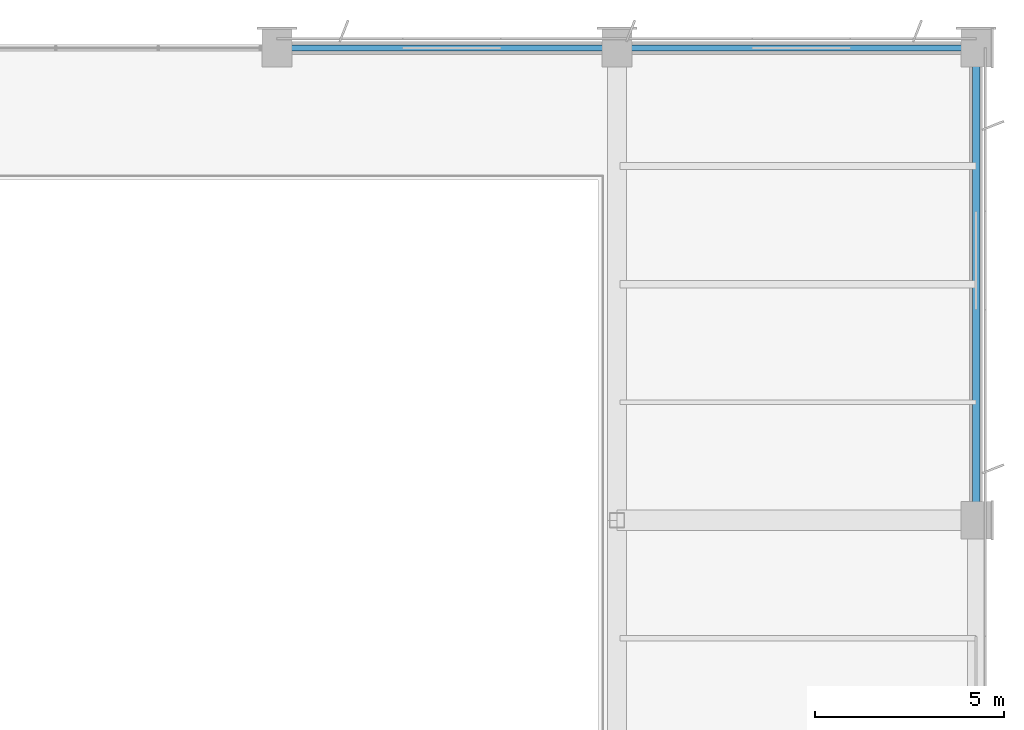
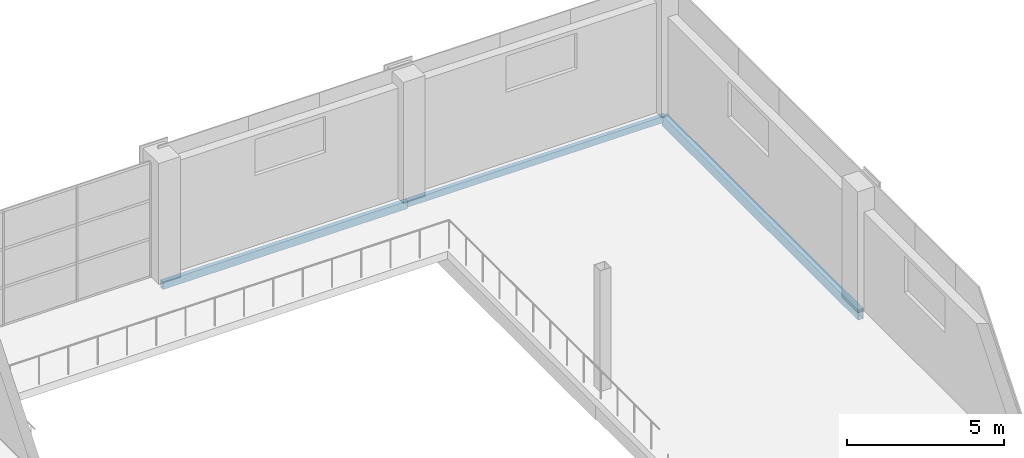
# One storey, part 83 of 112: 3 beams.
"""IFC4 building model written with IfcOpenShell, lengths in metres."""

from ifc_helpers import new_model, si_unit, direction, frame, origin, origin_2d, place, context, subcontext, project, spatial, hollow_rectangle, extrude, material, material_profile, profile_set, type_object, element, save


model = new_model("IFC4")

# Units and contexts
model_context = context("Model", 3, precision=1e-05, world=origin(), true_north=direction((0.0, 1.0)))
body_context = subcontext(model_context, "Body", "Model", "MODEL_VIEW")
ifc_project = project(units=[si_unit("LENGTHUNIT", "METRE"), si_unit("AREAUNIT", "SQUARE_METRE"), si_unit("VOLUMEUNIT", "CUBIC_METRE"), si_unit("PLANEANGLEUNIT", "RADIAN"), si_unit("MASSUNIT", "GRAM", prefix="KILO")], contexts=[model_context])

# Site, building, storey
site_placement = place(None, origin())
site = spatial("IfcSite", under=ifc_project, at=site_placement, CompositionType="ELEMENT")
building_placement = place(site_placement, origin())
building = spatial("IfcBuilding", under=site, at=building_placement, Name="Solvikara Media Centre", CompositionType="ELEMENT")
storey_placement = place(building_placement, frame((0.0, 0.0, 5.39990234375)))
storey = spatial("IfcBuildingStorey", under=building, at=storey_placement, Name="L01", CompositionType="ELEMENT", Elevation=5.39990234375)

# Beams
ifc_material = material(Name="Steel S355JR", Category="steel")
ifc_material_profile_1 = material_profile(ifc_material, hollow_rectangle(XDim=0.199951171875, YDim=0.39990234375, WallThickness=0.011962890625, at=origin_2d()), Name="RHS 400x200x12")
ifc_profile_set_1 = profile_set([ifc_material_profile_1], Name="Steel S355JR")
beam_type_1 = type_object("IfcBeamType", Name="BM-33", PredefinedType="SPANDREL", material=ifc_profile_set_1)
beam_1_placement = place(storey_placement, frame((164.0, 101.5, -0.501953125), z_axis=(0.0, 1.0, 0.0), x_axis=(-1.0, 0.0, 0.0)))
element("IfcBeam", 1, at=beam_1_placement, inside=storey, type_object=beam_type_1, Name="B-L01-Y0643", PredefinedType="SPANDREL", context=body_context, shape_type="SweptSolid", body=[
    extrude(hollow_rectangle(XDim=0.199951171875, YDim=0.39990234375, WallThickness=0.011962890625, at=origin_2d()), origin(), (0.0, 0.0, 1.0), 12.5),
])
ifc_material_profile_2 = material_profile(ifc_material, hollow_rectangle(XDim=0.14990234375, YDim=0.300048828125, WallThickness=0.010009765625, at=origin_2d()), Name="RHS 300x150x10")
ifc_profile_set_2 = profile_set([ifc_material_profile_2], Name="Steel S355JR")
beam_type_2 = type_object("IfcBeamType", Name="BM-35", PredefinedType="BEAM", material=ifc_profile_set_2)
beam_2_placement = place(storey_placement, frame((145.5, 114.0, -0.451904296875), z_axis=(1.0, 0.0, 0.0), x_axis=(0.0, 1.0, 0.0)))
element("IfcBeam", 2, at=beam_2_placement, inside=storey, type_object=beam_type_2, Name="B-L01-X0533", PredefinedType="BEAM", context=body_context, shape_type="SweptSolid", body=[
    extrude(hollow_rectangle(XDim=0.14990234375, YDim=0.300048828125, WallThickness=0.010009765625, at=origin_2d()), origin(), (0.0, 0.0, 1.0), 9.0),
])
ifc_material_profile_3 = material_profile(ifc_material, hollow_rectangle(XDim=0.14990234375, YDim=0.25, WallThickness=0.008056640625, at=origin_2d()), Name="RHS 250x150x8")
ifc_profile_set_3 = profile_set([ifc_material_profile_3], Name="Steel S355JR")
beam_type_3 = type_object("IfcBeamType", Name="BM-36", PredefinedType="JOIST", material=ifc_profile_set_3)
beam_3_placement = place(storey_placement, frame((154.5, 114.0, -0.427001953125), z_axis=(1.0, 0.0, 0.0), x_axis=(0.0, 1.0, 0.0)))
element("IfcBeam", 3, at=beam_3_placement, inside=storey, type_object=beam_type_3, Name="B-L01-X0534", PredefinedType="JOIST", context=body_context, shape_type="SweptSolid", body=[
    extrude(hollow_rectangle(XDim=0.14990234375, YDim=0.25, WallThickness=0.008056640625, at=origin_2d()), origin(), (0.0, 0.0, 1.0), 9.5),
])

save(model, "model.ifc")
